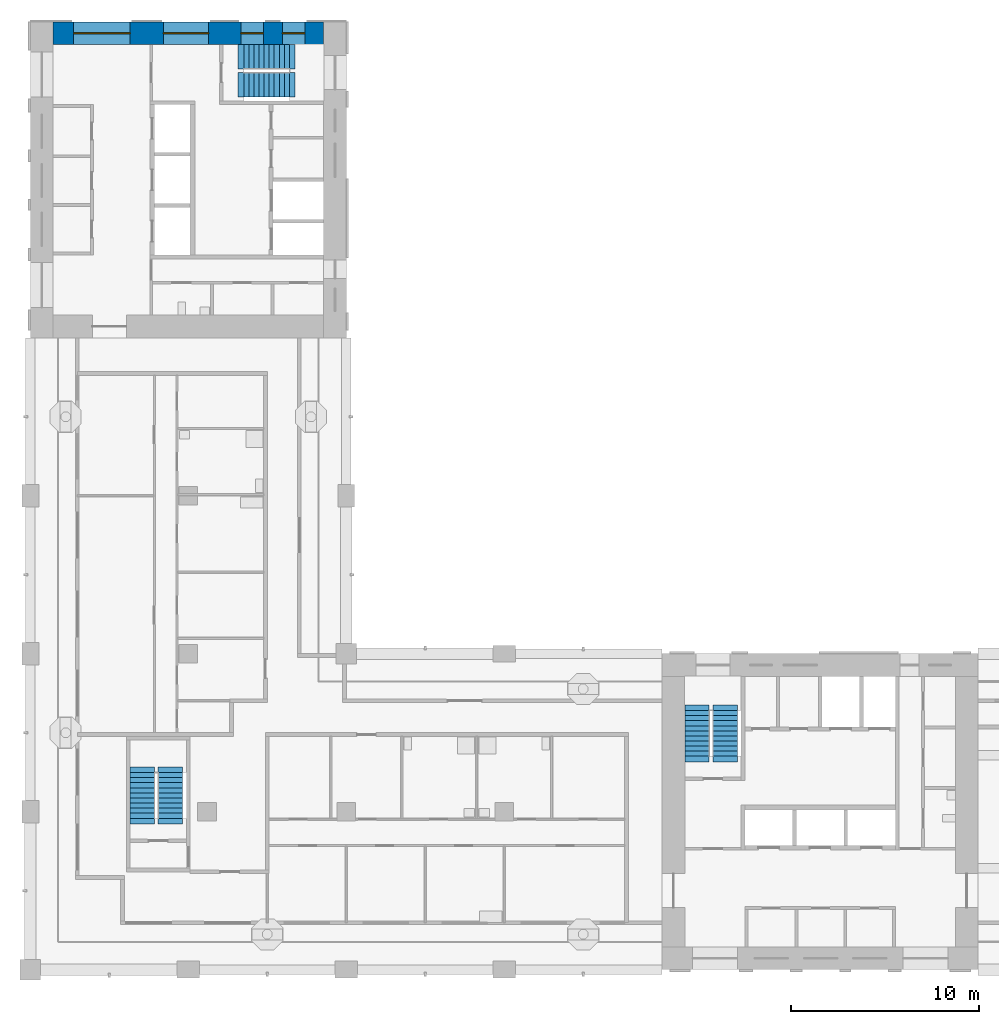
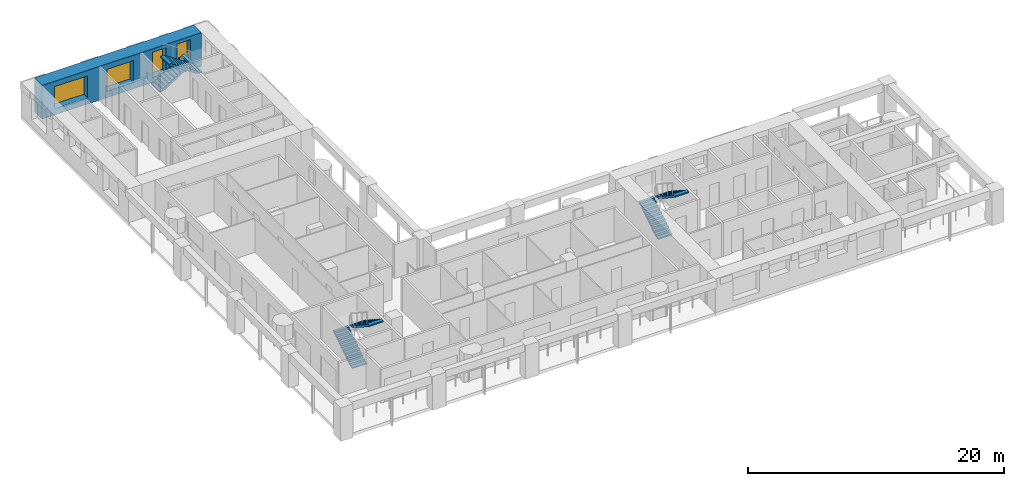
# One storey, part 7 of 13: 6 stair flights, 4 windows, 1 wall, 4 openings, 3 elements without a shape of their own.
"""IFC4 building model written with IfcOpenShell, lengths in metres."""

from ifc_helpers import new_model, si_unit, direction, frame, frame_2d, origin, place, context, subcontext, project, spatial, polyline, rectangle, outline, extrude, material, layer, layer_set, type_object, element, fill, aggregate, save


model = new_model("IFC4")

# Units and contexts
model_context = context("Model", 3, precision=1e-05, world=origin(), true_north=direction((0.0, 1.0)))
body_context = subcontext(model_context, "Body", "Model", "MODEL_VIEW")
ifc_project = project(units=[si_unit("LENGTHUNIT", "METRE"), si_unit("AREAUNIT", "SQUARE_METRE"), si_unit("VOLUMEUNIT", "CUBIC_METRE"), si_unit("PLANEANGLEUNIT", "RADIAN"), si_unit("MASSUNIT", "GRAM", prefix="KILO")], contexts=[model_context])

# Site, building, storey
site_placement = place(None, origin())
site = spatial("IfcSite", under=ifc_project, at=site_placement, CompositionType="ELEMENT")
building_placement = place(site_placement, origin())
building = spatial("IfcBuilding", under=site, at=building_placement, Name="Vermilion Gate Residences", CompositionType="ELEMENT")
storey_placement = place(building_placement, frame((0.0, 0.0, 193.199951171875)))
storey = spatial("IfcBuildingStorey", under=building, at=storey_placement, Name="L50", CompositionType="ELEMENT", Elevation=193.199951171875)

# Wall, openings, windows
ifc_material_1 = material(Name="Concrete C60 red-oxide pigmented", Category="concrete")
ifc_layer = layer(ifc_material_1, 1.199951171875)
ifc_layer_set = layer_set([ifc_layer], Name="RC CORE WALL 1200 C60 RED OXIDE")
wall_type = type_object("IfcWallType", Name="RC CORE WALL 1200 C60 RED OXIDE", PredefinedType="SHEAR", material=ifc_layer_set)
wall_placement = place(storey_placement, frame((9.60009765625, 58.199951171875, 0.0), z_axis=(0.0, 0.0, 1.0), x_axis=(1.0, 0.0, 0.0)))
wall = element("IfcWall", 1, at=wall_placement, inside=storey, type_object=wall_type, Name="Core wall B50-OUT-FR", PredefinedType="SHEAR", context=body_context, shape_type="SweptSolid", body=[
    extrude(rectangle(XDim=14.39990234375, YDim=1.199951171875, at=frame_2d((7.199951171875, 0.0))), origin(), (0.0, 0.0, 1.0), 3.219970703125),
])
opening_1_placement = place(wall_placement, frame((1.10498046875, 0.0, 0.60009765625)))
opening_1 = element("IfcOpeningElement", 2, at=opening_1_placement, cuts=wall, Name="Opening WKB5011", PredefinedType="OPENING", context=body_context, shape_type="SweptSolid", body=[
    extrude(rectangle(XDim=3.0, YDim=2.10009765625, at=frame_2d((1.5, 1.050048828125))), frame((0.0, 0.60986328125, 0.0), z_axis=(0.0, -1.0, 0.0), x_axis=(1.0, 0.0, 0.0)), (0.0, 0.0, 1.0), 1.219970703125),
])
opening_2_placement = place(wall_placement, frame((5.875, 0.0, 0.60009765625)))
opening_2 = element("IfcOpeningElement", 3, at=opening_2_placement, cuts=wall, Name="Opening WKB5012", PredefinedType="OPENING", context=body_context, shape_type="SweptSolid", body=[
    extrude(rectangle(XDim=2.39990234375, YDim=2.10009765625, at=frame_2d((1.199951171875, 1.050048828125))), frame((0.0, 0.60986328125, 0.0), z_axis=(0.0, -1.0, 0.0), x_axis=(1.0, 0.0, 0.0)), (0.0, 0.0, 1.0), 1.219970703125),
])
opening_3_placement = place(wall_placement, frame((9.993408203125, 0.0, 0.5)))
opening_3 = element("IfcOpeningElement", 4, at=opening_3_placement, cuts=wall, Name="Opening WKB5013", PredefinedType="OPENING", context=body_context, shape_type="SweptSolid", body=[
    extrude(rectangle(XDim=1.199951171875, YDim=2.39990234375, at=frame_2d((0.60009765625, 1.199951171875))), frame((0.0, 0.60986328125, 0.0), z_axis=(0.0, -1.0, 0.0), x_axis=(1.0, 0.0, 0.0)), (0.0, 0.0, 1.0), 1.219970703125),
])
opening_4_placement = place(wall_placement, frame((12.19677734375, 0.0, 0.5)))
opening_4 = element("IfcOpeningElement", 5, at=opening_4_placement, cuts=wall, Name="Opening WKB5014", PredefinedType="OPENING", context=body_context, shape_type="SweptSolid", body=[
    extrude(rectangle(XDim=1.199951171875, YDim=2.39990234375, at=frame_2d((0.60009765625, 1.199951171875))), frame((0.0, 0.60986328125, 0.0), z_axis=(0.0, -1.0, 0.0), x_axis=(1.0, 0.0, 0.0)), (0.0, 0.0, 1.0), 1.219970703125),
])
ifc_material_2 = material(Name="Aluminium and clear glass", Category="aluminium")
window_type_1 = type_object("IfcWindowType", Name="CORE LOBBY WINDOW 2400 X 2100", PartitioningType="SINGLE_PANEL", PredefinedType="WINDOW", material=ifc_material_2)
window_1_placement = place(opening_2_placement, origin())
window_1 = element("IfcWindow", 6, at=window_1_placement, inside=storey, type_object=window_type_1, Name="Core lobby window", OverallHeight=2.10009765625, OverallWidth=2.39990234375, PartitioningType="SINGLE_PANEL", PredefinedType="WINDOW", context=body_context, shape_type="SweptSolid", body=[
    extrude(rectangle(XDim=2.39990234375, YDim=2.10009765625, at=frame_2d((1.199951171875, 1.050048828125))), frame((0.0, 0.030029296875, 0.0), z_axis=(0.0, -1.0, 0.0), x_axis=(1.0, 0.0, 0.0)), (0.0, 0.0, 1.0), 0.06005859375),
])
fill(opening_2, window_1)
ifc_material_3 = material(Name="Aluminium and clear glass", Category="aluminium")
window_type_2 = type_object("IfcWindowType", Name="CORE LOBBY WINDOW 3000 X 2100", PartitioningType="SINGLE_PANEL", PredefinedType="WINDOW", material=ifc_material_3)
window_2_placement = place(opening_1_placement, origin())
window_2 = element("IfcWindow", 7, at=window_2_placement, inside=storey, type_object=window_type_2, Name="Core lobby window", OverallHeight=2.10009765625, OverallWidth=3.0, PartitioningType="SINGLE_PANEL", PredefinedType="WINDOW", context=body_context, shape_type="SweptSolid", body=[
    extrude(rectangle(XDim=3.0, YDim=2.10009765625, at=frame_2d((1.5, 1.050048828125))), frame((0.0, 0.030029296875, 0.0), z_axis=(0.0, -1.0, 0.0), x_axis=(1.0, 0.0, 0.0)), (0.0, 0.0, 1.0), 0.06005859375),
])
fill(opening_1, window_2)
ifc_material_4 = material(Name="Aluminium and clear glass", Category="aluminium")
window_type_3 = type_object("IfcWindowType", Name="CORE STAIR WINDOW 1200 X 2400", PartitioningType="SINGLE_PANEL", PredefinedType="WINDOW", material=ifc_material_4)
window_3_placement = place(opening_3_placement, origin())
window_3 = element("IfcWindow", 8, at=window_3_placement, inside=storey, type_object=window_type_3, Name="Core stair window", OverallHeight=2.39990234375, OverallWidth=1.199951171875, PartitioningType="SINGLE_PANEL", PredefinedType="WINDOW", context=body_context, shape_type="SweptSolid", body=[
    extrude(rectangle(XDim=1.199951171875, YDim=2.39990234375, at=frame_2d((0.60009765625, 1.199951171875))), frame((0.0, 0.030029296875, 0.0), z_axis=(0.0, -1.0, 0.0), x_axis=(1.0, 0.0, 0.0)), (0.0, 0.0, 1.0), 0.06005859375),
])
fill(opening_3, window_3)
window_4_placement = place(opening_4_placement, origin())
window_4 = element("IfcWindow", 9, at=window_4_placement, inside=storey, type_object=window_type_3, Name="Core stair window", OverallHeight=2.39990234375, OverallWidth=1.199951171875, PartitioningType="SINGLE_PANEL", PredefinedType="WINDOW", context=body_context, shape_type="SweptSolid", body=[
    extrude(rectangle(XDim=1.199951171875, YDim=2.39990234375, at=frame_2d((0.60009765625, 1.199951171875))), frame((0.0, 0.030029296875, 0.0), z_axis=(0.0, -1.0, 0.0), x_axis=(1.0, 0.0, 0.0)), (0.0, 0.0, 1.0), 0.06005859375),
])
fill(opening_4, window_4)

# Stair, stair flights
ifc_material_5 = material(Name="Concrete C50", Category="concrete")
stair_type = type_object("IfcStairType", Name="SPECIAL ESCAPE STAIR 1300", PredefinedType="HALF_TURN_STAIR", material=ifc_material_5)
stair_1_placement = place(storey_placement, origin())
stair_1 = element("IfcStair", 10, at=stair_1_placement, inside=storey, type_object=stair_type, Name="Special escape stair STA1-50", PredefinedType="HALF_TURN_STAIR")
ifc_material_6 = material(Name="Concrete C50", Category="concrete")
stair_flight_type = type_object("IfcStairFlightType", Name="STAIR FLIGHT 1300 RC C50", PredefinedType="STRAIGHT", material=ifc_material_6)
stair_flight_1_placement = place(storey_placement, frame((43.85009765625, 19.75, 0.0), z_axis=(0.0, 0.0, 1.0), x_axis=(0.0, 1.0, 0.0)))
stair_flight_1 = element("IfcStairFlight", 11, at=stair_flight_1_placement, type_object=stair_flight_type, Name="STA1-50 flight 1", NumberOfRisers=10, NumberOfTreads=9, PredefinedType="STRAIGHT", RiserHeight=0.175, TreadLength=0.27, context=body_context, shape_type="SweptSolid", body=[
    extrude(outline(polyline([(-0.300048828125, -0.14990234375), (-0.300048828125, -0.030029296875), (0.0, 0.0), (0.0, 0.175048828125), (0.27001953125, 0.175048828125), (0.27001953125, 0.35009765625), (0.5400390625, 0.35009765625), (0.5400390625, 0.52490234375), (0.81005859375, 0.52490234375), (0.81005859375, 0.699951171875), (1.080078125, 0.699951171875), (1.080078125, 0.875), (1.35009765625, 0.875), (1.35009765625, 1.050048828125), (1.6201171875, 1.050048828125), (1.6201171875, 1.22509765625), (1.889892578125, 1.22509765625), (1.889892578125, 1.39990234375), (2.159912109375, 1.39990234375), (2.159912109375, 1.574951171875), (2.429931640625, 1.574951171875), (2.429931640625, 1.75), (2.72998046875, 1.719970703125), (2.72998046875, 1.60009765625), (2.429931640625, 1.396484375), (0.275634765625, 0.0), (-0.300048828125, -0.14990234375)])), frame((0.0, 0.64990234375, 0.0), z_axis=(0.0, -1.0, 0.0), x_axis=(1.0, 0.0, 0.0)), (0.0, 0.0, 1.0), 1.300048828125),
])
stair_flight_2_placement = place(storey_placement, frame((45.35009765625, 22.179931640625, 1.75), z_axis=(0.0, 0.0, 1.0), x_axis=(0.0, -1.0, 0.0)))
stair_flight_2 = element("IfcStairFlight", 12, at=stair_flight_2_placement, type_object=stair_flight_type, Name="STA1-50 flight 2", NumberOfRisers=10, NumberOfTreads=9, PredefinedType="STRAIGHT", RiserHeight=0.175, TreadLength=0.27, context=body_context, shape_type="SweptSolid", body=[
    extrude(outline(polyline([(-0.300048828125, -0.14990234375), (-0.300048828125, -0.030029296875), (0.0, 0.0), (0.0, 0.175048828125), (0.27001953125, 0.175048828125), (0.27001953125, 0.35009765625), (0.5400390625, 0.35009765625), (0.5400390625, 0.52490234375), (0.81005859375, 0.52490234375), (0.81005859375, 0.699951171875), (1.080078125, 0.699951171875), (1.080078125, 0.875), (1.35009765625, 0.875), (1.35009765625, 1.050048828125), (1.6201171875, 1.050048828125), (1.6201171875, 1.22509765625), (1.889892578125, 1.22509765625), (1.889892578125, 1.39990234375), (2.159912109375, 1.39990234375), (2.159912109375, 1.574951171875), (2.429931640625, 1.574951171875), (2.429931640625, 1.75), (2.72998046875, 1.719970703125), (2.72998046875, 1.60009765625), (2.429931640625, 1.396484375), (0.275634765625, 0.0), (-0.300048828125, -0.14990234375)])), frame((0.0, 0.64990234375, 0.0), z_axis=(0.0, -1.0, 0.0), x_axis=(1.0, 0.0, 0.0)), (0.0, 0.0, 1.0), 1.300048828125),
])
aggregate(stair_1, [stair_flight_1, stair_flight_2])

stair_2_placement = place(storey_placement, origin())
stair_2 = element("IfcStair", 13, at=stair_2_placement, inside=storey, type_object=stair_type, Name="Special escape stair STB1-50", PredefinedType="HALF_TURN_STAIR")
stair_flight_3_placement = place(storey_placement, frame((19.75, 56.949951171875, 0.0), z_axis=(0.0, 0.0, 1.0), x_axis=(1.0, 0.0, 0.0)))
stair_flight_3 = element("IfcStairFlight", 14, at=stair_flight_3_placement, type_object=stair_flight_type, Name="STB1-50 flight 1", NumberOfRisers=10, NumberOfTreads=9, PredefinedType="STRAIGHT", RiserHeight=0.175, TreadLength=0.27, context=body_context, shape_type="SweptSolid", body=[
    extrude(outline(polyline([(-0.300048828125, -0.14990234375), (-0.300048828125, -0.030029296875), (0.0, 0.0), (0.0, 0.175048828125), (0.27001953125, 0.175048828125), (0.27001953125, 0.35009765625), (0.5400390625, 0.35009765625), (0.5400390625, 0.52490234375), (0.81005859375, 0.52490234375), (0.81005859375, 0.699951171875), (1.080078125, 0.699951171875), (1.080078125, 0.875), (1.35009765625, 0.875), (1.35009765625, 1.050048828125), (1.6201171875, 1.050048828125), (1.6201171875, 1.22509765625), (1.889892578125, 1.22509765625), (1.889892578125, 1.39990234375), (2.159912109375, 1.39990234375), (2.159912109375, 1.574951171875), (2.429931640625, 1.574951171875), (2.429931640625, 1.75), (2.72998046875, 1.719970703125), (2.72998046875, 1.60009765625), (2.429931640625, 1.396484375), (0.275634765625, 0.0), (-0.300048828125, -0.14990234375)])), frame((0.0, 0.64990234375, 0.0), z_axis=(0.0, -1.0, 0.0), x_axis=(1.0, 0.0, 0.0)), (0.0, 0.0, 1.0), 1.300048828125),
])
stair_flight_4_placement = place(storey_placement, frame((22.179931640625, 55.449951171875, 1.75), z_axis=(0.0, 0.0, 1.0), x_axis=(-1.0, 0.0, 0.0)))
stair_flight_4 = element("IfcStairFlight", 15, at=stair_flight_4_placement, type_object=stair_flight_type, Name="STB1-50 flight 2", NumberOfRisers=10, NumberOfTreads=9, PredefinedType="STRAIGHT", RiserHeight=0.175, TreadLength=0.27, context=body_context, shape_type="SweptSolid", body=[
    extrude(outline(polyline([(-0.300048828125, -0.14990234375), (-0.300048828125, -0.030029296875), (0.0, 0.0), (0.0, 0.175048828125), (0.27001953125, 0.175048828125), (0.27001953125, 0.35009765625), (0.5400390625, 0.35009765625), (0.5400390625, 0.52490234375), (0.81005859375, 0.52490234375), (0.81005859375, 0.699951171875), (1.080078125, 0.699951171875), (1.080078125, 0.875), (1.35009765625, 0.875), (1.35009765625, 1.050048828125), (1.6201171875, 1.050048828125), (1.6201171875, 1.22509765625), (1.889892578125, 1.22509765625), (1.889892578125, 1.39990234375), (2.159912109375, 1.39990234375), (2.159912109375, 1.574951171875), (2.429931640625, 1.574951171875), (2.429931640625, 1.75), (2.72998046875, 1.719970703125), (2.72998046875, 1.60009765625), (2.429931640625, 1.396484375), (0.275634765625, 0.0), (-0.300048828125, -0.14990234375)])), frame((0.0, 0.64990234375, 0.0), z_axis=(0.0, -1.0, 0.0), x_axis=(1.0, 0.0, 0.0)), (0.0, 0.0, 1.0), 1.300048828125),
])
aggregate(stair_2, [stair_flight_3, stair_flight_4])

stair_3_placement = place(storey_placement, origin())
stair_3 = element("IfcStair", 16, at=stair_3_placement, inside=storey, type_object=stair_type, Name="Special escape stair STC1-50", PredefinedType="HALF_TURN_STAIR")
stair_flight_5_placement = place(storey_placement, frame((14.35009765625, 16.449951171875, 0.0), z_axis=(0.0, 0.0, 1.0), x_axis=(0.0, 1.0, 0.0)))
stair_flight_5 = element("IfcStairFlight", 17, at=stair_flight_5_placement, type_object=stair_flight_type, Name="STC1-50 flight 1", NumberOfRisers=10, NumberOfTreads=9, PredefinedType="STRAIGHT", RiserHeight=0.175, TreadLength=0.27, context=body_context, shape_type="SweptSolid", body=[
    extrude(outline(polyline([(-0.300048828125, -0.14990234375), (-0.300048828125, -0.030029296875), (0.0, 0.0), (0.0, 0.175048828125), (0.27001953125, 0.175048828125), (0.27001953125, 0.35009765625), (0.5400390625, 0.35009765625), (0.5400390625, 0.52490234375), (0.81005859375, 0.52490234375), (0.81005859375, 0.699951171875), (1.080078125, 0.699951171875), (1.080078125, 0.875), (1.35009765625, 0.875), (1.35009765625, 1.050048828125), (1.6201171875, 1.050048828125), (1.6201171875, 1.22509765625), (1.889892578125, 1.22509765625), (1.889892578125, 1.39990234375), (2.159912109375, 1.39990234375), (2.159912109375, 1.574951171875), (2.429931640625, 1.574951171875), (2.429931640625, 1.75), (2.72998046875, 1.719970703125), (2.72998046875, 1.60009765625), (2.429931640625, 1.396484375), (0.275634765625, 0.0), (-0.300048828125, -0.14990234375)])), frame((0.0, 0.64990234375, 0.0), z_axis=(0.0, -1.0, 0.0), x_axis=(1.0, 0.0, 0.0)), (0.0, 0.0, 1.0), 1.300048828125),
])
stair_flight_6_placement = place(storey_placement, frame((15.85009765625, 18.8798828125, 1.75), z_axis=(0.0, 0.0, 1.0), x_axis=(0.0, -1.0, 0.0)))
stair_flight_6 = element("IfcStairFlight", 18, at=stair_flight_6_placement, type_object=stair_flight_type, Name="STC1-50 flight 2", NumberOfRisers=10, NumberOfTreads=9, PredefinedType="STRAIGHT", RiserHeight=0.175, TreadLength=0.27, context=body_context, shape_type="SweptSolid", body=[
    extrude(outline(polyline([(-0.300048828125, -0.14990234375), (-0.300048828125, -0.030029296875), (0.0, 0.0), (0.0, 0.175048828125), (0.27001953125, 0.175048828125), (0.27001953125, 0.35009765625), (0.5400390625, 0.35009765625), (0.5400390625, 0.52490234375), (0.81005859375, 0.52490234375), (0.81005859375, 0.699951171875), (1.080078125, 0.699951171875), (1.080078125, 0.875), (1.35009765625, 0.875), (1.35009765625, 1.050048828125), (1.6201171875, 1.050048828125), (1.6201171875, 1.22509765625), (1.889892578125, 1.22509765625), (1.889892578125, 1.39990234375), (2.159912109375, 1.39990234375), (2.159912109375, 1.574951171875), (2.429931640625, 1.574951171875), (2.429931640625, 1.75), (2.72998046875, 1.719970703125), (2.72998046875, 1.60009765625), (2.429931640625, 1.396484375), (0.275634765625, 0.0), (-0.300048828125, -0.14990234375)])), frame((0.0, 0.64990234375, 0.0), z_axis=(0.0, -1.0, 0.0), x_axis=(1.0, 0.0, 0.0)), (0.0, 0.0, 1.0), 1.300048828125),
])
aggregate(stair_3, [stair_flight_5, stair_flight_6])

save(model, "model.ifc")
